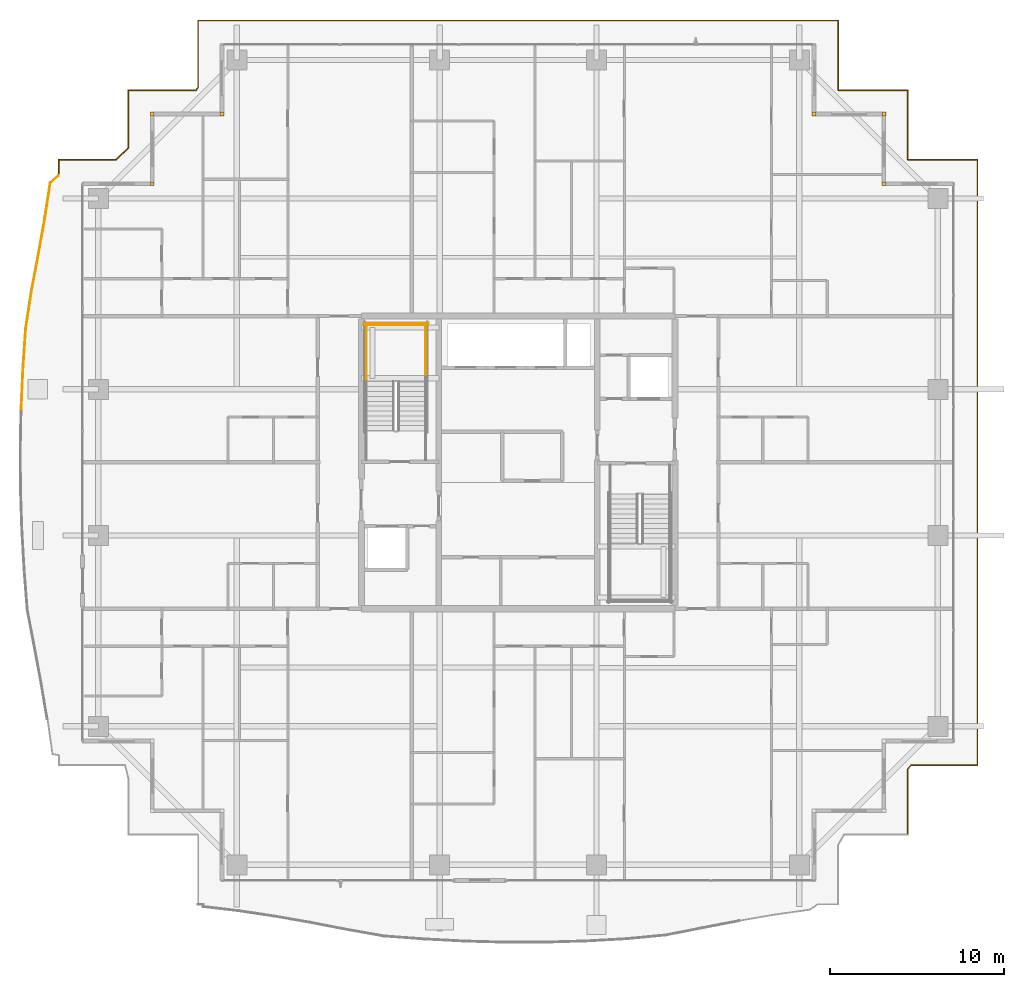
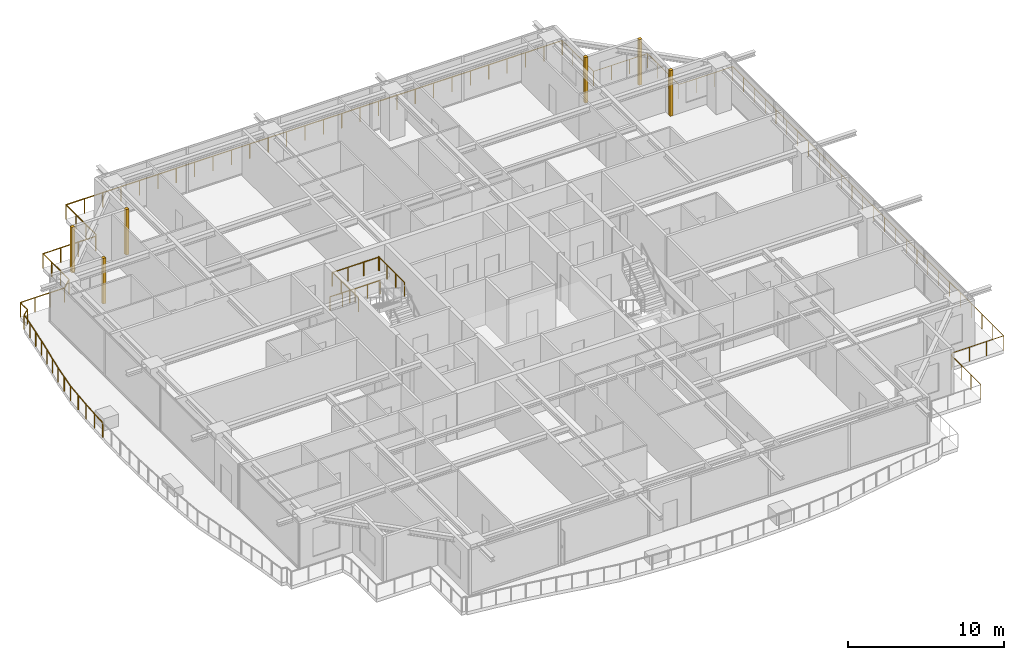
# One storey, part 37 of 38: 7 railings, 6 coverings.
"""IFC4 building model written with IfcOpenShell, lengths in metres."""

import ifcopenshell
import ifcopenshell.guid

model = None  # the IFC model being written
_history = None  # IfcOwnerHistory: only IFC2X3 demands one
_inside = {}  # id of a spatial element -> (the spatial element, [elements in it])
_under = {}  # id of a project, library or spatial element -> (it, [spatial elements below it])
_declared = {}  # id of a project -> (the project, [libraries it declares])
_typed = {}  # id of a type object -> (the type object, [elements of that type])
_made_of = {}  # id of a material, layer set ... -> (it, [elements and type objects made of it])


def new_model(schema):
    """Start an empty IFC model of exactly this schema.

    Asked for "IFC4X3", IfcOpenShell would pick the latest addendum, in which some entities
    have other attributes; the version numbers below select the first issue.
    IFC2X3 requires an IfcOwnerHistory on every rooted entity: one is made here for all.
    """
    global model, _history
    if schema == "IFC4X3":
        model = ifcopenshell.file(schema_version=(4, 3, 0, 0))
    else:
        model = ifcopenshell.file(schema=schema)
    _inside.clear()
    _under.clear()
    _declared.clear()
    _typed.clear()
    _made_of.clear()
    _history = None
    if model.schema == "IFC2X3":
        org = make("IfcOrganization", Name="unknown")
        user = make(
            "IfcPersonAndOrganization",
            ThePerson=make("IfcPerson", FamilyName="unknown"),
            TheOrganization=org,
        )
        app = make(
            "IfcApplication",
            ApplicationDeveloper=org,
            Version="unknown",
            ApplicationFullName="unknown",
            ApplicationIdentifier="unknown",
        )
        _history = make(
            "IfcOwnerHistory",
            OwningUser=user,
            OwningApplication=app,
            ChangeAction="ADDED",
            CreationDate=0,
        )
    return model


def make(cls, **values):
    """One entity of the class cls with the attributes given. An attribute that is None is left unset."""
    return model.create_entity(
        cls, **{name: value for name, value in values.items() if value is not None}
    )


def rooted(cls, **values):
    """An entity with a GlobalId (a new one), such as an element, a storey or a relation."""
    return make(cls, GlobalId=ifcopenshell.guid.new(), OwnerHistory=_history, **values)


def si_unit(unit_type, name, prefix=None):
    """IfcSIUnit, for example si_unit("LENGTHUNIT", "METRE", prefix="MILLI")."""
    return make("IfcSIUnit", UnitType=unit_type, Prefix=prefix, Name=name)


def assignment(units):
    """IfcUnitAssignment: the units of a project."""
    return None if units is None else make("IfcUnitAssignment", Units=units)


def point(xyz):
    """IfcCartesianPoint."""
    return None if xyz is None else make("IfcCartesianPoint", Coordinates=xyz)


def direction(xyz):
    """IfcDirection."""
    return None if xyz is None else make("IfcDirection", DirectionRatios=xyz)


def frame(location, z_axis=None, x_axis=None):
    """IfcAxis2Placement3D, a coordinate frame: its origin and axes. An axis left out is left unset."""
    return make(
        "IfcAxis2Placement3D",
        Location=point(location),
        Axis=direction(z_axis),
        RefDirection=direction(x_axis),
    )


def frame_2d(location, x_axis=None):
    """IfcAxis2Placement2D, a coordinate frame in the plane: its origin and x axis."""
    return make(
        "IfcAxis2Placement2D", Location=point(location), RefDirection=direction(x_axis)
    )


def origin():
    """The frame at (0, 0, 0) with its axes left unset."""
    return frame((0.0, 0.0, 0.0))


def origin_2d():
    """The frame at (0, 0) in the plane with its x axis left unset."""
    return frame_2d((0.0, 0.0))


def place(relative_to, where):
    """IfcLocalPlacement: puts the frame where relative to a parent placement (None: the world)."""
    return make(
        "IfcLocalPlacement", PlacementRelTo=relative_to, RelativePlacement=where
    )


def context(
    kind, dimensions, precision=None, world=None, true_north=None, identifier=None
):
    """IfcGeometricRepresentationContext, for example the 3D "Model" context."""
    return make(
        "IfcGeometricRepresentationContext",
        ContextIdentifier=identifier,
        ContextType=kind,
        CoordinateSpaceDimension=dimensions,
        Precision=precision,
        WorldCoordinateSystem=world,
        TrueNorth=true_north,
    )


def subcontext(parent, identifier, kind, view, scale=None):
    """IfcGeometricRepresentationSubContext, for example "Body" below "Model"."""
    return make(
        "IfcGeometricRepresentationSubContext",
        ContextIdentifier=identifier,
        ContextType=kind,
        ParentContext=parent,
        TargetScale=scale,
        TargetView=view,
    )


def project(units=None, contexts=None):
    """IfcProject with its units and contexts."""
    return rooted(
        "IfcProject",
        Name="project",
        RepresentationContexts=contexts,
        UnitsInContext=assignment(units),
    )


def spatial(cls, under=None, at=None, **own):
    """A site, building, storey or space (cls), placed at a placement, below another one or the project."""
    s = rooted(cls, ObjectPlacement=at, **own)
    if under is not None:
        _under.setdefault(under.id(), (under, []))[1].append(s)
    return s


def profile(cls, at=None, kind="AREA", **sizes):
    """A parametric profile (cls). Its sizes go by their IFC names, for example OverallWidth=200.0."""
    return make(cls, ProfileType=kind, Position=at, **sizes)


def rectangle(**sizes):
    """IfcRectangleProfileDef."""
    return profile("IfcRectangleProfileDef", **sizes)


def circle(**sizes):
    """IfcCircleProfileDef."""
    return profile("IfcCircleProfileDef", **sizes)


def extrude(swept, where, along, depth):
    """IfcExtrudedAreaSolid: the profile swept, set in the frame where, extruded along a direction by depth."""
    return make(
        "IfcExtrudedAreaSolid",
        SweptArea=swept,
        Position=where,
        ExtrudedDirection=direction(along),
        Depth=depth,
    )


def shape(context_of_items, identifier, shape_type, items):
    """IfcShapeRepresentation: the items that make up one representation, for example the "Body"."""
    return make(
        "IfcShapeRepresentation",
        ContextOfItems=context_of_items,
        RepresentationIdentifier=identifier,
        RepresentationType=shape_type,
        Items=items,
    )


def source(mapping_origin, context_of_items, identifier, shape_type, items):
    """IfcRepresentationMap: a shape defined once, which mapped items show again and again."""
    return make(
        "IfcRepresentationMap",
        MappingOrigin=mapping_origin,
        MappedRepresentation=shape(context_of_items, identifier, shape_type, items),
    )


def transform(
    local_origin,
    x_axis=None,
    y_axis=None,
    z_axis=None,
    scale=None,
    scale2=None,
    scale3=None,
    uniform=True,
):
    """IfcCartesianTransformationOperator3D, or its non-uniform kind. x_axis, y_axis, z_axis: its Axis1, 2, 3."""
    if uniform:
        return make(
            "IfcCartesianTransformationOperator3D",
            Axis1=direction(x_axis),
            Axis2=direction(y_axis),
            LocalOrigin=point(local_origin),
            Scale=scale,
            Axis3=direction(z_axis),
        )
    return make(
        "IfcCartesianTransformationOperator3DnonUniform",
        Axis1=direction(x_axis),
        Axis2=direction(y_axis),
        LocalOrigin=point(local_origin),
        Scale=scale,
        Axis3=direction(z_axis),
        Scale2=scale2,
        Scale3=scale3,
    )


def mapped(mapping_source, mapping_target):
    """IfcMappedItem: shows the shape of a source again, moved by a transform."""
    return make(
        "IfcMappedItem", MappingSource=mapping_source, MappingTarget=mapping_target
    )


def material(Name=None, Category=None):
    """IfcMaterial."""
    return make("IfcMaterial", Name=Name, Category=Category)


def layer(
    of_material, thickness, ventilated=None, Name=None, Category=None, Priority=None
):
    """IfcMaterialLayer: one layer of a wall or slab, of a material (None: an air gap)."""
    return make(
        "IfcMaterialLayer",
        Material=of_material,
        LayerThickness=thickness,
        IsVentilated=ventilated,
        Name=Name,
        Category=Category,
        Priority=Priority,
    )


def layer_set(layers, Name=None):
    """IfcMaterialLayerSet."""
    return make("IfcMaterialLayerSet", MaterialLayers=layers, LayerSetName=Name)


def made_of(thing, what):
    """Note that an element or type object is made of a material, layer set ...; save() writes the relation."""
    if what is not None:
        _made_of.setdefault(what.id(), (what, []))[1].append(thing)
    return thing


def type_object(cls, material=None, **own):
    """A type object (cls), such as IfcWallType, which elements share."""
    return made_of(rooted(cls, **own), material)


def element(
    cls,
    number,
    at=None,
    inside=None,
    cuts=None,
    type_object=None,
    material=None,
    context=None,
    identifier="Body",
    shape_type=None,
    held_by="IfcProductDefinitionShape",
    body=None,
    shapes=None,
    **own,
):
    """One element of the class cls, such as IfcWall. Its Tag is "e" and its number.

    at: its placement. inside: the storey or other place that contains it. cuts: it is an
    opening in that element (IfcRelVoidsElement). A single representation is given by context,
    identifier, shape_type and body (its items); several are given by shapes. held_by: the class
    of the entity that holds the representations. save() writes the other relations.
    """
    e = rooted(cls, Tag="e%d" % number, ObjectPlacement=at, **own)
    if body is not None:
        shapes = [shape(context, identifier, shape_type, body)]
    if shapes is not None:
        e.Representation = make(held_by, Representations=shapes)
    if inside is not None:
        _inside.setdefault(inside.id(), (inside, []))[1].append(e)
    if cuts is not None:
        rooted(
            "IfcRelVoidsElement", RelatingBuildingElement=cuts, RelatedOpeningElement=e
        )
    if type_object is not None:
        _typed.setdefault(type_object.id(), (type_object, []))[1].append(e)
    return made_of(e, material)


def aggregate(whole, parts):
    """IfcRelAggregates: a whole, such as a stair, and the parts it consists of."""
    return rooted("IfcRelAggregates", RelatingObject=whole, RelatedObjects=parts)


def save(model, path):
    """Write the relations noted so far, then the file.

    IfcRelAggregates (storeys below a building ...), IfcRelContainedInSpatialStructure (elements
    in a storey), IfcRelDefinesByType, IfcRelAssociatesMaterial and IfcRelDeclares: one each for
    every whole, place, type object, material and project.
    """
    for whole, parts in _under.values():
        aggregate(whole, parts)
    for where, things in _inside.values():
        rooted(
            "IfcRelContainedInSpatialStructure",
            RelatedElements=things,
            RelatingStructure=where,
        )
    for kind, things in _typed.values():
        rooted("IfcRelDefinesByType", RelatedObjects=things, RelatingType=kind)
    for what, things in _made_of.values():
        rooted("IfcRelAssociatesMaterial", RelatedObjects=things, RelatingMaterial=what)
    for by, libraries in _declared.values():
        rooted("IfcRelDeclares", RelatingContext=by, RelatedDefinitions=libraries)
    model.write(path)


model = new_model("IFC4")

# Units and contexts
model_context = context("Model", 3, precision=1e-05, world=origin(), true_north=direction((0.0, 1.0)))
body_context = subcontext(model_context, "Body", "Model", "MODEL_VIEW")
ifc_project = project(units=[si_unit("LENGTHUNIT", "METRE"), si_unit("AREAUNIT", "SQUARE_METRE"), si_unit("VOLUMEUNIT", "CUBIC_METRE"), si_unit("PLANEANGLEUNIT", "RADIAN"), si_unit("MASSUNIT", "GRAM", prefix="KILO")], contexts=[model_context])

# Site, building, storey
site_placement = place(None, origin())
site = spatial("IfcSite", under=ifc_project, at=site_placement, CompositionType="ELEMENT")
building_placement = place(site_placement, origin())
building = spatial("IfcBuilding", under=site, at=building_placement, Name="Serunith Strait Residences", CompositionType="ELEMENT")
storey_placement = place(building_placement, frame((0.0, 0.0, 241.25)))
storey = spatial("IfcBuildingStorey", under=building, at=storey_placement, Name="L60", CompositionType="ELEMENT", Elevation=241.25)

# Railings
ifc_material_1 = material(Name="Stainless Steel & Laminated Glass Balustrade", Category="steel")
railing_type_1 = type_object("IfcRailingType", Name="RLG-BALC-1150", PredefinedType="BALUSTRADE", material=ifc_material_1)
railing_1_placement = place(storey_placement, frame((3.87451171875, 28.290283203125, -0.050048828125)))
element("IfcRailing", 1, at=railing_1_placement, inside=storey, type_object=railing_type_1, Name="L60 Swirling Balcony Perimeter Balustrade 3", PredefinedType="BALUSTRADE", context=body_context, shape_type="SweptSolid", body=[
    extrude(circle(Radius=0.02392578125, at=origin_2d()), frame((0.0, 0.001953125, 1.1259765625), z_axis=(0.045513041641, 0.998963744608, 0.0), x_axis=(-0.998963744608, 0.045513041641, 0.0)), (0.0, 0.0, 1.0), 2.307861328125),
    extrude(circle(Radius=0.02392578125, at=origin_2d()), frame((0.10546875, 2.3115234375, 1.1259765625), z_axis=(0.067327600827, 0.997730922728, 0.0), x_axis=(-0.997730922728, 0.067327600827, 0.0)), (0.0, 0.0, 1.0), 2.280517578125),
    extrude(circle(Radius=0.02392578125, at=origin_2d()), frame((0.25927734375, 4.5908203125, 1.1259765625), z_axis=(0.150964081009, 0.988539248712, 0.0), x_axis=(-0.988539248712, 0.150964081009, 0.0)), (0.0, 0.0, 1.0), 2.211669921875),
    extrude(circle(Radius=0.02392578125, at=origin_2d()), frame((0.593994140625, 6.781005859375, 1.1259765625), z_axis=(0.18717488878, 0.982326606079, 0.0), x_axis=(-0.982326606079, 0.18717488878, 0.0)), (0.0, 0.0, 1.0), 2.140380859375),
    extrude(circle(Radius=0.02392578125, at=origin_2d()), frame((0.9951171875, 8.887451171875, 1.1259765625), z_axis=(0.17423135625, 0.984704744834, 0.0), x_axis=(-0.984704744834, 0.17423135625, 0.0)), (0.0, 0.0, 1.0), 2.088134765625),
    extrude(circle(Radius=0.02392578125, at=origin_2d()), frame((1.359619140625, 10.947509765625, 1.1259765625), z_axis=(0.151521768738, 0.988453920827, 0.0), x_axis=(-0.988453920827, 0.151521768738, 0.0)), (0.0, 0.0, 1.0), 2.052001953125),
    extrude(circle(Radius=0.02392578125, at=origin_2d()), frame((1.67236328125, 12.97900390625, 1.1259765625), z_axis=(0.765503136314, 0.643432162931, 0.0), x_axis=(-0.643432162931, 0.765503136314, 0.0)), (0.0, 0.0, 1.0), 0.615966796875),
    extrude(circle(Radius=0.02099609375, at=origin_2d()), origin(), (0.0, 0.0, 1.0), 1.099853515625),
    extrude(circle(Radius=0.02099609375, at=origin_2d()), frame((0.052734375, 1.15478515625, 0.0)), (0.0, 0.0, 1.0), 1.099853515625),
    extrude(circle(Radius=0.02099609375, at=origin_2d()), frame((0.105224609375, 2.3095703125, 0.0)), (0.0, 0.0, 1.0), 1.099853515625),
    extrude(circle(Radius=0.02099609375, at=origin_2d()), frame((0.18212890625, 3.44921875, 0.0)), (0.0, 0.0, 1.0), 1.099853515625),
    extrude(circle(Radius=0.02099609375, at=origin_2d()), frame((0.259033203125, 4.5888671875, 0.0)), (0.0, 0.0, 1.0), 1.099853515625),
    extrude(circle(Radius=0.02099609375, at=origin_2d()), frame((0.42626953125, 5.68408203125, 0.0)), (0.0, 0.0, 1.0), 1.099853515625),
    extrude(circle(Radius=0.02099609375, at=origin_2d()), frame((0.593505859375, 6.779052734375, 0.0)), (0.0, 0.0, 1.0), 1.099853515625),
    extrude(circle(Radius=0.02099609375, at=origin_2d()), frame((0.794189453125, 7.832275390625, 0.0)), (0.0, 0.0, 1.0), 1.099853515625),
    extrude(circle(Radius=0.02099609375, at=origin_2d()), frame((0.994873046875, 8.885498046875, 0.0)), (0.0, 0.0, 1.0), 1.099853515625),
    extrude(circle(Radius=0.02099609375, at=origin_2d()), frame((1.17724609375, 9.91552734375, 0.0)), (0.0, 0.0, 1.0), 1.099853515625),
    extrude(circle(Radius=0.02099609375, at=origin_2d()), frame((1.359375, 10.945556640625, 0.0)), (0.0, 0.0, 1.0), 1.099853515625),
    extrude(circle(Radius=0.02099609375, at=origin_2d()), frame((1.51513671875, 11.961669921875, 0.0)), (0.0, 0.0, 1.0), 1.099853515625),
    extrude(circle(Radius=0.02099609375, at=origin_2d()), frame((1.6708984375, 12.977783203125, 0.0)), (0.0, 0.0, 1.0), 1.099853515625),
    extrude(circle(Radius=0.02099609375, at=origin_2d()), frame((2.1455078125, 13.376708984375, 0.0)), (0.0, 0.0, 1.0), 1.099853515625),
])
railing_2_placement = place(storey_placement, frame((6.02001953125, 41.6669921875, -0.050048828125)))
element("IfcRailing", 2, at=railing_2_placement, inside=storey, type_object=railing_type_1, Name="L60 Swirling Balcony Perimeter Balustrade 4", PredefinedType="BALUSTRADE", context=body_context, shape_type="SweptSolid", body=[
    extrude(circle(Radius=0.02392578125, at=origin_2d()), frame((0.0, 0.001953125, 1.1259765625), z_axis=(0.0, 1.0, 0.0), x_axis=(-1.0, 0.0, 0.0)), (0.0, 0.0, 1.0), 0.9091796875),
    extrude(circle(Radius=0.02392578125, at=origin_2d()), frame((0.001953125, 0.9130859375, 1.1259765625), z_axis=(1.0, 0.0, 0.0), x_axis=(0.0, 1.0, 0.0)), (0.0, 0.0, 1.0), 3.27587890625),
    extrude(circle(Radius=0.02392578125, at=origin_2d()), frame((3.28125, 0.91455078125, 1.1259765625), z_axis=(0.732457359604, 0.680812908486, 0.0), x_axis=(-0.680812908486, 0.732457359604, 0.0)), (0.0, 0.0, 1.0), 0.979248046875),
    extrude(circle(Radius=0.02392578125, at=origin_2d()), frame((4.0, 1.58447265625, 1.1259765625), z_axis=(0.0, 1.0, 0.0), x_axis=(-1.0, 0.0, 0.0)), (0.0, 0.0, 1.0), 3.32666015625),
    extrude(circle(Radius=0.02392578125, at=origin_2d()), frame((4.001953125, 4.9130859375, 1.1259765625), z_axis=(1.0, 0.0, 0.0), x_axis=(0.0, 1.0, 0.0)), (0.0, 0.0, 1.0), 3.89501953125),
    extrude(circle(Radius=0.02392578125, at=origin_2d()), frame((7.89990234375, 4.914794921875, 1.1259765625), z_axis=(0.547356223896, 0.836899733638, 0.0), x_axis=(-0.836899733638, 0.547356223896, 0.0)), (0.0, 0.0, 1.0), 0.1806640625),
    extrude(circle(Radius=0.02392578125, at=origin_2d()), frame((8.0, 5.069580078125, 1.1259765625), z_axis=(0.0, 1.0, 0.0), x_axis=(-1.0, 0.0, 0.0)), (0.0, 0.0, 1.0), 3.841552734375),
    extrude(circle(Radius=0.02392578125, at=origin_2d()), frame((8.001953125, 8.9130859375, 1.1259765625), z_axis=(1.0, 0.0, 0.0), x_axis=(0.0, 1.0, 0.0)), (0.0, 0.0, 1.0), 36.756103515625),
    extrude(circle(Radius=0.02099609375, at=origin_2d()), origin(), (0.0, 0.0, 1.0), 1.099853515625),
    extrude(circle(Radius=0.02099609375, at=origin_2d()), frame((0.0, 0.9130859375, 0.0)), (0.0, 0.0, 1.0), 1.099853515625),
    extrude(circle(Radius=0.02099609375, at=origin_2d()), frame((1.09326171875, 0.9130859375, 0.0)), (0.0, 0.0, 1.0), 1.099853515625),
    extrude(circle(Radius=0.02099609375, at=origin_2d()), frame((2.1865234375, 0.9130859375, 0.0)), (0.0, 0.0, 1.0), 1.099853515625),
    extrude(circle(Radius=0.02099609375, at=origin_2d()), frame((3.27978515625, 0.9130859375, 0.0)), (0.0, 0.0, 1.0), 1.099853515625),
    extrude(circle(Radius=0.02099609375, at=origin_2d()), frame((4.0, 1.58251953125, 0.0)), (0.0, 0.0, 1.0), 1.099853515625),
    extrude(circle(Radius=0.02099609375, at=origin_2d()), frame((4.0, 2.692626953125, 0.0)), (0.0, 0.0, 1.0), 1.099853515625),
    extrude(circle(Radius=0.02099609375, at=origin_2d()), frame((4.0, 3.802978515625, 0.0)), (0.0, 0.0, 1.0), 1.099853515625),
    extrude(circle(Radius=0.02099609375, at=origin_2d()), frame((4.0, 4.9130859375, 0.0)), (0.0, 0.0, 1.0), 1.099853515625),
    extrude(circle(Radius=0.02099609375, at=origin_2d()), frame((5.299560546875, 4.9130859375, 0.0)), (0.0, 0.0, 1.0), 1.099853515625),
    extrude(circle(Radius=0.02099609375, at=origin_2d()), frame((6.599365234375, 4.9130859375, 0.0)), (0.0, 0.0, 1.0), 1.099853515625),
    extrude(circle(Radius=0.02099609375, at=origin_2d()), frame((7.89892578125, 4.9130859375, 0.0)), (0.0, 0.0, 1.0), 1.099853515625),
    extrude(circle(Radius=0.02099609375, at=origin_2d()), frame((8.0, 5.067626953125, 0.0)), (0.0, 0.0, 1.0), 1.099853515625),
    extrude(circle(Radius=0.02099609375, at=origin_2d()), frame((8.0, 6.349365234375, 0.0)), (0.0, 0.0, 1.0), 1.099853515625),
    extrude(circle(Radius=0.02099609375, at=origin_2d()), frame((8.0, 7.63134765625, 0.0)), (0.0, 0.0, 1.0), 1.099853515625),
    extrude(circle(Radius=0.02099609375, at=origin_2d()), frame((8.0, 8.9130859375, 0.0)), (0.0, 0.0, 1.0), 1.099853515625),
    extrude(circle(Radius=0.02099609375, at=origin_2d()), frame((9.361572265625, 8.9130859375, 0.0)), (0.0, 0.0, 1.0), 1.099853515625),
    extrude(circle(Radius=0.02099609375, at=origin_2d()), frame((10.722900390625, 8.9130859375, 0.0)), (0.0, 0.0, 1.0), 1.099853515625),
    extrude(circle(Radius=0.02099609375, at=origin_2d()), frame((12.08447265625, 8.9130859375, 0.0)), (0.0, 0.0, 1.0), 1.099853515625),
    extrude(circle(Radius=0.02099609375, at=origin_2d()), frame((13.446044921875, 8.9130859375, 0.0)), (0.0, 0.0, 1.0), 1.099853515625),
    extrude(circle(Radius=0.02099609375, at=origin_2d()), frame((14.807373046875, 8.9130859375, 0.0)), (0.0, 0.0, 1.0), 1.099853515625),
    extrude(circle(Radius=0.02099609375, at=origin_2d()), frame((16.1689453125, 8.9130859375, 0.0)), (0.0, 0.0, 1.0), 1.099853515625),
    extrude(circle(Radius=0.02099609375, at=origin_2d()), frame((17.5302734375, 8.9130859375, 0.0)), (0.0, 0.0, 1.0), 1.099853515625),
    extrude(circle(Radius=0.02099609375, at=origin_2d()), frame((18.891845703125, 8.9130859375, 0.0)), (0.0, 0.0, 1.0), 1.099853515625),
    extrude(circle(Radius=0.02099609375, at=origin_2d()), frame((20.25341796875, 8.9130859375, 0.0)), (0.0, 0.0, 1.0), 1.099853515625),
    extrude(circle(Radius=0.02099609375, at=origin_2d()), frame((21.61474609375, 8.9130859375, 0.0)), (0.0, 0.0, 1.0), 1.099853515625),
    extrude(circle(Radius=0.02099609375, at=origin_2d()), frame((22.976318359375, 8.9130859375, 0.0)), (0.0, 0.0, 1.0), 1.099853515625),
    extrude(circle(Radius=0.02099609375, at=origin_2d()), frame((24.337890625, 8.9130859375, 0.0)), (0.0, 0.0, 1.0), 1.099853515625),
    extrude(circle(Radius=0.02099609375, at=origin_2d()), frame((25.69921875, 8.9130859375, 0.0)), (0.0, 0.0, 1.0), 1.099853515625),
    extrude(circle(Radius=0.02099609375, at=origin_2d()), frame((27.060791015625, 8.9130859375, 0.0)), (0.0, 0.0, 1.0), 1.099853515625),
    extrude(circle(Radius=0.02099609375, at=origin_2d()), frame((28.422119140625, 8.9130859375, 0.0)), (0.0, 0.0, 1.0), 1.099853515625),
    extrude(circle(Radius=0.02099609375, at=origin_2d()), frame((29.78369140625, 8.9130859375, 0.0)), (0.0, 0.0, 1.0), 1.099853515625),
    extrude(circle(Radius=0.02099609375, at=origin_2d()), frame((31.145263671875, 8.9130859375, 0.0)), (0.0, 0.0, 1.0), 1.099853515625),
    extrude(circle(Radius=0.02099609375, at=origin_2d()), frame((32.506591796875, 8.9130859375, 0.0)), (0.0, 0.0, 1.0), 1.099853515625),
    extrude(circle(Radius=0.02099609375, at=origin_2d()), frame((33.8681640625, 8.9130859375, 0.0)), (0.0, 0.0, 1.0), 1.099853515625),
    extrude(circle(Radius=0.02099609375, at=origin_2d()), frame((35.229736328125, 8.9130859375, 0.0)), (0.0, 0.0, 1.0), 1.099853515625),
    extrude(circle(Radius=0.02099609375, at=origin_2d()), frame((36.591064453125, 8.9130859375, 0.0)), (0.0, 0.0, 1.0), 1.099853515625),
    extrude(circle(Radius=0.02099609375, at=origin_2d()), frame((37.95263671875, 8.9130859375, 0.0)), (0.0, 0.0, 1.0), 1.099853515625),
    extrude(circle(Radius=0.02099609375, at=origin_2d()), frame((39.31396484375, 8.9130859375, 0.0)), (0.0, 0.0, 1.0), 1.099853515625),
    extrude(circle(Radius=0.02099609375, at=origin_2d()), frame((40.675537109375, 8.9130859375, 0.0)), (0.0, 0.0, 1.0), 1.099853515625),
    extrude(circle(Radius=0.02099609375, at=origin_2d()), frame((42.037109375, 8.9130859375, 0.0)), (0.0, 0.0, 1.0), 1.099853515625),
    extrude(circle(Radius=0.02099609375, at=origin_2d()), frame((43.3984375, 8.9130859375, 0.0)), (0.0, 0.0, 1.0), 1.099853515625),
    extrude(circle(Radius=0.02099609375, at=origin_2d()), frame((44.760009765625, 8.9130859375, 0.0)), (0.0, 0.0, 1.0), 1.099853515625),
])
railing_3_placement = place(storey_placement, frame((50.780029296875, 50.580078125, -0.050048828125)))
element("IfcRailing", 3, at=railing_3_placement, inside=storey, type_object=railing_type_1, Name="L60 Swirling Balcony Perimeter Balustrade 5", PredefinedType="BALUSTRADE", context=body_context, shape_type="SweptSolid", body=[
    extrude(circle(Radius=0.02392578125, at=origin_2d()), frame((0.0, -0.001953125, 1.1259765625), z_axis=(0.0, -1.0, 0.0), x_axis=(1.0, 0.0, 0.0)), (0.0, 0.0, 1.0), 3.99609375),
    extrude(circle(Radius=0.02392578125, at=origin_2d()), frame((0.001953125, -4.0, 1.1259765625), z_axis=(1.0, 0.0, 0.0), x_axis=(0.0, 1.0, 0.0)), (0.0, 0.0, 1.0), 3.99609375),
    extrude(circle(Radius=0.02392578125, at=origin_2d()), frame((4.0, -4.001953125, 1.1259765625), z_axis=(0.0, -1.0, 0.0), x_axis=(1.0, 0.0, 0.0)), (0.0, 0.0, 1.0), 3.99609375),
    extrude(circle(Radius=0.02392578125, at=origin_2d()), frame((4.001953125, -8.0, 1.1259765625), z_axis=(1.0, 0.0, 0.0), x_axis=(0.0, 1.0, 0.0)), (0.0, 0.0, 1.0), 3.99609375),
    extrude(circle(Radius=0.02392578125, at=origin_2d()), frame((8.0, -8.001953125, 1.1259765625), z_axis=(0.0, -1.0, 0.0), x_axis=(1.0, 0.0, 0.0)), (0.0, 0.0, 1.0), 34.756103515625),
    extrude(circle(Radius=0.02392578125, at=origin_2d()), frame((7.998046875, -42.760009765625, 1.1259765625), z_axis=(-1.0, 0.0, 0.0), x_axis=(0.0, -1.0, 0.0)), (0.0, 0.0, 1.0), 3.801025390625),
    extrude(circle(Radius=0.02392578125, at=origin_2d()), frame((4.19384765625, -42.761474609375, 1.1259765625), z_axis=(-0.659789800433, -0.751450210756, 0.0), x_axis=(0.751450210756, -0.659789800433, 0.0)), (0.0, 0.0, 1.0), 0.291748046875),
    extrude(circle(Radius=0.02392578125, at=origin_2d()), frame((4.0, -42.984130859375, 1.1259765625), z_axis=(0.0, -1.0, 0.0), x_axis=(1.0, 0.0, 0.0)), (0.0, 0.0, 1.0), 3.77392578125),
    extrude(circle(Radius=0.02099609375, at=origin_2d()), origin(), (0.0, 0.0, 1.0), 1.099853515625),
    extrude(circle(Radius=0.02099609375, at=origin_2d()), frame((0.0, -1.333251953125, 0.0)), (0.0, 0.0, 1.0), 1.099853515625),
    extrude(circle(Radius=0.02099609375, at=origin_2d()), frame((0.0, -2.666748046875, 0.0)), (0.0, 0.0, 1.0), 1.099853515625),
    extrude(circle(Radius=0.02099609375, at=origin_2d()), frame((0.0, -4.0, 0.0)), (0.0, 0.0, 1.0), 1.099853515625),
    extrude(circle(Radius=0.02099609375, at=origin_2d()), frame((1.333251953125, -4.0, 0.0)), (0.0, 0.0, 1.0), 1.099853515625),
    extrude(circle(Radius=0.02099609375, at=origin_2d()), frame((2.666748046875, -4.0, 0.0)), (0.0, 0.0, 1.0), 1.099853515625),
    extrude(circle(Radius=0.02099609375, at=origin_2d()), frame((4.0, -4.0, 0.0)), (0.0, 0.0, 1.0), 1.099853515625),
    extrude(circle(Radius=0.02099609375, at=origin_2d()), frame((4.0, -5.333251953125, 0.0)), (0.0, 0.0, 1.0), 1.099853515625),
    extrude(circle(Radius=0.02099609375, at=origin_2d()), frame((4.0, -6.666748046875, 0.0)), (0.0, 0.0, 1.0), 1.099853515625),
    extrude(circle(Radius=0.02099609375, at=origin_2d()), frame((4.0, -8.0, 0.0)), (0.0, 0.0, 1.0), 1.099853515625),
    extrude(circle(Radius=0.02099609375, at=origin_2d()), frame((5.333251953125, -8.0, 0.0)), (0.0, 0.0, 1.0), 1.099853515625),
    extrude(circle(Radius=0.02099609375, at=origin_2d()), frame((6.666748046875, -8.0, 0.0)), (0.0, 0.0, 1.0), 1.099853515625),
    extrude(circle(Radius=0.02099609375, at=origin_2d()), frame((8.0, -8.0, 0.0)), (0.0, 0.0, 1.0), 1.099853515625),
    extrude(circle(Radius=0.02099609375, at=origin_2d()), frame((8.0, -9.390380859375, 0.0)), (0.0, 0.0, 1.0), 1.099853515625),
    extrude(circle(Radius=0.02099609375, at=origin_2d()), frame((8.0, -10.78076171875, 0.0)), (0.0, 0.0, 1.0), 1.099853515625),
    extrude(circle(Radius=0.02099609375, at=origin_2d()), frame((8.0, -12.171142578125, 0.0)), (0.0, 0.0, 1.0), 1.099853515625),
    extrude(circle(Radius=0.02099609375, at=origin_2d()), frame((8.0, -13.5615234375, 0.0)), (0.0, 0.0, 1.0), 1.099853515625),
    extrude(circle(Radius=0.02099609375, at=origin_2d()), frame((8.0, -14.951904296875, 0.0)), (0.0, 0.0, 1.0), 1.099853515625),
    extrude(circle(Radius=0.02099609375, at=origin_2d()), frame((8.0, -16.34228515625, 0.0)), (0.0, 0.0, 1.0), 1.099853515625),
    extrude(circle(Radius=0.02099609375, at=origin_2d()), frame((8.0, -17.73291015625, 0.0)), (0.0, 0.0, 1.0), 1.099853515625),
    extrude(circle(Radius=0.02099609375, at=origin_2d()), frame((8.0, -19.123291015625, 0.0)), (0.0, 0.0, 1.0), 1.099853515625),
    extrude(circle(Radius=0.02099609375, at=origin_2d()), frame((8.0, -20.513671875, 0.0)), (0.0, 0.0, 1.0), 1.099853515625),
    extrude(circle(Radius=0.02099609375, at=origin_2d()), frame((8.0, -21.904052734375, 0.0)), (0.0, 0.0, 1.0), 1.099853515625),
    extrude(circle(Radius=0.02099609375, at=origin_2d()), frame((8.0, -23.29443359375, 0.0)), (0.0, 0.0, 1.0), 1.099853515625),
    extrude(circle(Radius=0.02099609375, at=origin_2d()), frame((8.0, -24.684814453125, 0.0)), (0.0, 0.0, 1.0), 1.099853515625),
    extrude(circle(Radius=0.02099609375, at=origin_2d()), frame((8.0, -26.0751953125, 0.0)), (0.0, 0.0, 1.0), 1.099853515625),
    extrude(circle(Radius=0.02099609375, at=origin_2d()), frame((8.0, -27.465576171875, 0.0)), (0.0, 0.0, 1.0), 1.099853515625),
    extrude(circle(Radius=0.02099609375, at=origin_2d()), frame((8.0, -28.85595703125, 0.0)), (0.0, 0.0, 1.0), 1.099853515625),
    extrude(circle(Radius=0.02099609375, at=origin_2d()), frame((8.0, -30.246337890625, 0.0)), (0.0, 0.0, 1.0), 1.099853515625),
    extrude(circle(Radius=0.02099609375, at=origin_2d()), frame((8.0, -31.63671875, 0.0)), (0.0, 0.0, 1.0), 1.099853515625),
    extrude(circle(Radius=0.02099609375, at=origin_2d()), frame((8.0, -33.027099609375, 0.0)), (0.0, 0.0, 1.0), 1.099853515625),
    extrude(circle(Radius=0.02099609375, at=origin_2d()), frame((8.0, -34.417724609375, 0.0)), (0.0, 0.0, 1.0), 1.099853515625),
    extrude(circle(Radius=0.02099609375, at=origin_2d()), frame((8.0, -35.80810546875, 0.0)), (0.0, 0.0, 1.0), 1.099853515625),
    extrude(circle(Radius=0.02099609375, at=origin_2d()), frame((8.0, -37.198486328125, 0.0)), (0.0, 0.0, 1.0), 1.099853515625),
    extrude(circle(Radius=0.02099609375, at=origin_2d()), frame((8.0, -38.5888671875, 0.0)), (0.0, 0.0, 1.0), 1.099853515625),
    extrude(circle(Radius=0.02099609375, at=origin_2d()), frame((8.0, -39.979248046875, 0.0)), (0.0, 0.0, 1.0), 1.099853515625),
    extrude(circle(Radius=0.02099609375, at=origin_2d()), frame((8.0, -41.36962890625, 0.0)), (0.0, 0.0, 1.0), 1.099853515625),
    extrude(circle(Radius=0.02099609375, at=origin_2d()), frame((8.0, -42.760009765625, 0.0)), (0.0, 0.0, 1.0), 1.099853515625),
    extrude(circle(Radius=0.02099609375, at=origin_2d()), frame((6.731689453125, -42.760009765625, 0.0)), (0.0, 0.0, 1.0), 1.099853515625),
    extrude(circle(Radius=0.02099609375, at=origin_2d()), frame((5.46337890625, -42.760009765625, 0.0)), (0.0, 0.0, 1.0), 1.099853515625),
    extrude(circle(Radius=0.02099609375, at=origin_2d()), frame((4.195068359375, -42.760009765625, 0.0)), (0.0, 0.0, 1.0), 1.099853515625),
    extrude(circle(Radius=0.02099609375, at=origin_2d()), frame((4.0, -42.982177734375, 0.0)), (0.0, 0.0, 1.0), 1.099853515625),
    extrude(circle(Radius=0.02099609375, at=origin_2d()), frame((4.0, -44.241455078125, 0.0)), (0.0, 0.0, 1.0), 1.099853515625),
    extrude(circle(Radius=0.02099609375, at=origin_2d()), frame((4.0, -45.500732421875, 0.0)), (0.0, 0.0, 1.0), 1.099853515625),
    extrude(circle(Radius=0.02099609375, at=origin_2d()), frame((4.0, -46.760009765625, 0.0)), (0.0, 0.0, 1.0), 1.099853515625),
])
ifc_material_2 = material(Name="Brushed stainless steel 316L", Category="steel")
railing_type_2 = type_object("IfcRailingType", Name="RLG-STAIR-GUARD", PredefinedType="BALUSTRADE", material=ifc_material_2)
for number, where, name in (
    (4, (27.10009765625, 29.830078125, 1.925048828125), "L60 ST-1 stair guard 3"),
    (5, (23.699951171875, 29.830078125, 1.925048828125), "L60 ST-1 stair guard 4"),
):
    element("IfcRailing", number, at=place(storey_placement, frame(where)), inside=storey, type_object=railing_type_2, Name=name, PredefinedType="BALUSTRADE", context=body_context, shape_type="SweptSolid", body=[
        extrude(circle(Radius=0.02392578125, at=origin_2d()), frame((0.0, 0.001953125, 1.076171875), z_axis=(0.0, 1.0, 0.0), x_axis=(-1.0, 0.0, 0.0)), (0.0, 0.0, 1.0), 3.31591796875),
        extrude(circle(Radius=0.02099609375, at=origin_2d()), origin(), (0.0, 0.0, 1.0), 1.050048828125),
        extrude(circle(Radius=0.02099609375, at=origin_2d()), frame((0.0, 1.106689453125, 0.0)), (0.0, 0.0, 1.0), 1.050048828125),
        extrude(circle(Radius=0.02099609375, at=origin_2d()), frame((0.0, 2.213134765625, 0.0)), (0.0, 0.0, 1.0), 1.050048828125),
        extrude(circle(Radius=0.02099609375, at=origin_2d()), frame((0.0, 3.31982421875, 0.0)), (0.0, 0.0, 1.0), 1.050048828125),
    ])
railing_4_placement = place(storey_placement, frame((27.14990234375, 33.10009765625, 1.925048828125)))
element("IfcRailing", 6, at=railing_4_placement, inside=storey, type_object=railing_type_2, Name="L60 ST-1 stair guard 5", PredefinedType="BALUSTRADE", context=body_context, shape_type="SweptSolid", body=[
    extrude(circle(Radius=0.02392578125, at=origin_2d()), frame((-0.001953125, 0.0, 1.076171875), z_axis=(-1.0, 0.0, 0.0), x_axis=(0.0, -1.0, 0.0)), (0.0, 0.0, 1.0), 3.49609375),
    extrude(circle(Radius=0.02099609375, at=origin_2d()), origin(), (0.0, 0.0, 1.0), 1.050048828125),
    extrude(circle(Radius=0.02099609375, at=origin_2d()), frame((-1.166748046875, 0.0, 0.0)), (0.0, 0.0, 1.0), 1.050048828125),
    extrude(circle(Radius=0.02099609375, at=origin_2d()), frame((-2.333251953125, 0.0, 0.0)), (0.0, 0.0, 1.0), 1.050048828125),
    extrude(circle(Radius=0.02099609375, at=origin_2d()), frame((-3.5, 0.0, 0.0)), (0.0, 0.0, 1.0), 1.050048828125),
])
railing_5_placement = place(storey_placement, frame((27.25, 33.199951171875, 0.0)))
element("IfcRailing", 7, at=railing_5_placement, inside=storey, type_object=railing_type_2, Name="L60 ST-1 stair guard 12", PredefinedType="BALUSTRADE", context=body_context, shape_type="SweptSolid", body=[
    extrude(circle(Radius=0.02392578125, at=origin_2d()), frame((-0.001953125, 0.0, 1.076171875), z_axis=(-1.0, 0.0, 0.0), x_axis=(0.0, -1.0, 0.0)), (0.0, 0.0, 1.0), 3.696044921875),
    extrude(circle(Radius=0.02099609375, at=origin_2d()), origin(), (0.0, 0.0, 1.0), 1.050048828125),
    extrude(circle(Radius=0.02099609375, at=origin_2d()), frame((-0.925048828125, 0.0, 0.0)), (0.0, 0.0, 1.0), 1.050048828125),
    extrude(circle(Radius=0.02099609375, at=origin_2d()), frame((-1.85009765625, 0.0, 0.0)), (0.0, 0.0, 1.0), 1.050048828125),
    extrude(circle(Radius=0.02099609375, at=origin_2d()), frame((-2.77490234375, 0.0, 0.0)), (0.0, 0.0, 1.0), 1.050048828125),
    extrude(circle(Radius=0.02099609375, at=origin_2d()), frame((-3.699951171875, 0.0, 0.0)), (0.0, 0.0, 1.0), 1.050048828125),
])

# Coverings
ifc_material_3 = material(Name="Pale-Champagne Anodised Aluminium", Category="aluminium")
ifc_layer = layer(ifc_material_3, 0.219970703125, Name="Pale-Champagne Anodised Aluminium")
ifc_layer_set = layer_set([ifc_layer], Name="Pale-Champagne Anodised Aluminium")
covering_type = type_object("IfcCoveringType", Name="COV-CORN-TRIM", PredefinedType="CLADDING", material=ifc_layer_set)
shared_shape = source(origin(), body_context, "Body", "SweptSolid", [
    extrude(rectangle(XDim=0.221923828125, YDim=0.221923828125, at=origin_2d()), origin(), (0.0, 0.0, 1.0), 3.574951171875),
])
for number, where, z_axis, x_axis, name in (
    (8, (53.39990234375, 41.199951171875, 0.0), (0.0, 0.0, 1.0), (1.0, 0.0, 0.0), "L60 Girih Serrated Corner Trim Post 07"),
    (9, (53.39990234375, 45.199951171875, 0.0), (0.0, 0.0, 1.0), (1.0, 0.0, 0.0), "L60 Girih Serrated Corner Trim Post 08"),
    (10, (49.39990234375, 45.199951171875, 0.0), (0.0, 0.0, 1.0), (1.0, 0.0, 0.0), "L60 Girih Serrated Corner Trim Post 09"),
    (11, (15.39990234375, 45.199951171875, 0.0), (0.0, 0.0, 1.0), (1.0, 0.0, 0.0), "L60 Girih Serrated Corner Trim Post 12"),
    (12, (11.39990234375, 45.199951171875, 0.0), (0.0, 0.0, 1.0), (1.0, 0.0, 0.0), "L60 Girih Serrated Corner Trim Post 13"),
    (13, (11.39990234375, 41.199951171875, 0.0), (0.0, 0.0, 1.0), (1.0, 0.0, 0.0), "L60 Girih Serrated Corner Trim Post 14"),
):
    element("IfcCovering", number, at=place(storey_placement, frame(where, z_axis=z_axis, x_axis=x_axis)), inside=storey, type_object=covering_type, Name=name, PredefinedType="CLADDING", context=body_context, shape_type="MappedRepresentation", body=[
        mapped(shared_shape, transform((0.0, 0.0, 0.0), scale=1.0)),
    ])

save(model, "model.ifc")
